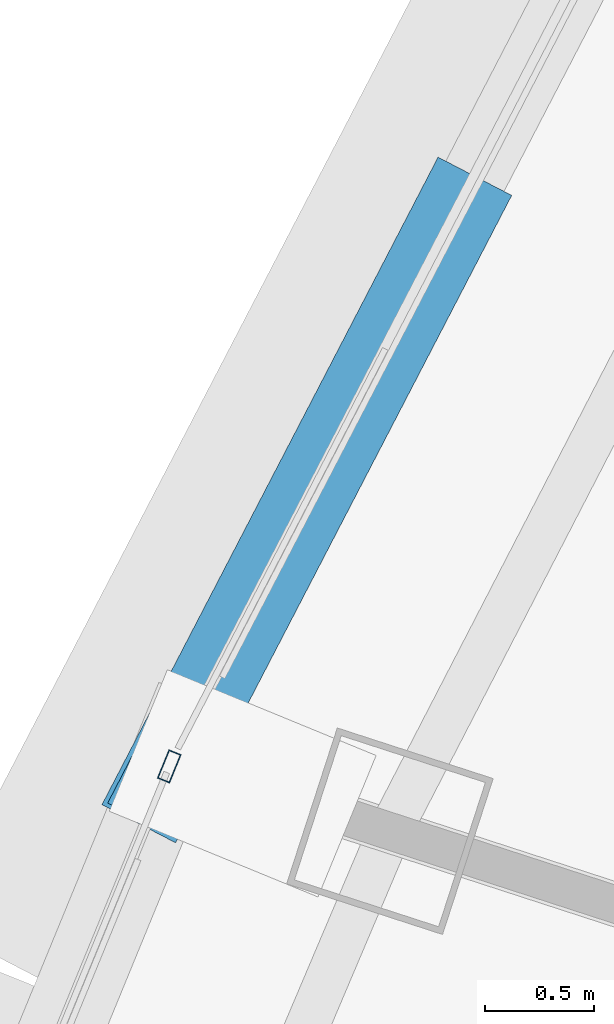
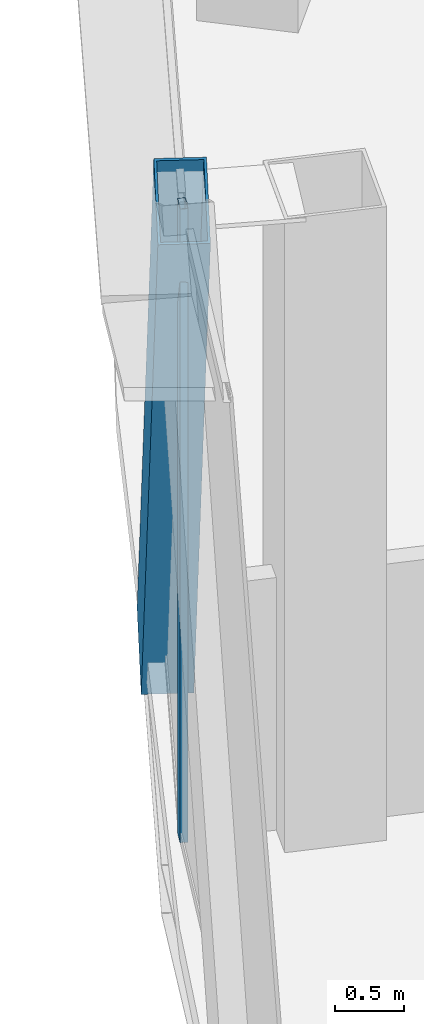
# One storey, part 8 of 33: 2 members, 1 element without a shape of its own.
"""IFC4 building model written with IfcOpenShell, lengths in metres."""

from ifc_helpers import new_model, si_unit, direction, frame, origin, origin_2d, place, context, subcontext, project, spatial, hollow_rectangle, extrude, source, transform, mapped, material, layer, layer_set, material_profile, profile_set, type_object, element, aggregate, save


model = new_model("IFC4")

# Units and contexts
model_context = context("Model", 3, precision=1e-05, world=origin(), true_north=direction((0.0, 1.0)))
body_context = subcontext(model_context, "Body", "Model", "MODEL_VIEW")
ifc_project = project(units=[si_unit("LENGTHUNIT", "METRE"), si_unit("AREAUNIT", "SQUARE_METRE"), si_unit("VOLUMEUNIT", "CUBIC_METRE"), si_unit("PLANEANGLEUNIT", "RADIAN"), si_unit("MASSUNIT", "GRAM", prefix="KILO"), si_unit("THERMODYNAMICTEMPERATUREUNIT", "KELVIN"), si_unit("POWERUNIT", "WATT")], contexts=[model_context])

# Site, building, storey
site_placement = place(None, origin())
site = spatial("IfcSite", under=ifc_project, at=site_placement, CompositionType="ELEMENT")
building_placement = place(site_placement, origin())
building = spatial("IfcBuilding", under=site, at=building_placement, Name="Yunzhuo Pagoda Commons", CompositionType="ELEMENT")
storey_placement = place(building_placement, frame((0.0, 0.0, 314.860107421875)))
storey = spatial("IfcBuildingStorey", under=building, at=storey_placement, Name="L79", CompositionType="ELEMENT", Elevation=314.860107421875)

# Member
ifc_material_1 = material(Name="Structural steel Q355B", Category="steel")
ifc_material_profile_1 = material_profile(ifc_material_1, hollow_rectangle(XDim=0.3798828125, YDim=0.719970703125, WallThickness=0.02001953125, at=origin_2d()), Name="Structural steel Q355B")
ifc_profile_set_1 = profile_set([ifc_material_profile_1], Name="Structural steel Q355B")
member_type_1 = type_object("IfcMemberType", Name="M-DL3 Brace BOX 720x380x20", PredefinedType="BRACE", material=ifc_profile_set_1)
shared_shape_1 = source(origin(), body_context, "Body", "SweptSolid", [
    extrude(hollow_rectangle(XDim=0.3798828125, YDim=0.719970703125, WallThickness=0.02001953125, at=origin_2d()), origin(), (0.0, 0.0, 1.0), 6.418212890625),
])
member_1_placement = place(storey_placement, frame((24.935791015625, 43.978515625, -0.260009765625), z_axis=(-0.192704513442, -0.371220557972, 0.908328281976), x_axis=(0.887539704537, -0.460731237133, 0.0)))
element("IfcMember", 1, at=member_1_placement, inside=storey, type_object=member_type_1, Name="L79 facade diamond brace F3.2R", PredefinedType="BRACE", context=body_context, shape_type="MappedRepresentation", body=[
    mapped(shared_shape_1, transform((0.0, 0.0, 0.0), scale=1.0)),
])

# Curtain wall, member
ifc_material_2 = material(Name="Anodized aluminium 6063-T6", Category="aluminium")
ifc_layer = layer(ifc_material_2, 0.139892578125)
ifc_layer_set = layer_set([ifc_layer], Name="Anodized aluminium 6063-T6")
curtain_wall_type = type_object("IfcCurtainWallType", Name="CW-HI High-Zone Ribbon Curtain Wall", PredefinedType="NOTDEFINED", material=ifc_layer_set)
curtain_wall_placement = place(storey_placement, origin())
curtain_wall = element("IfcCurtainWall", 2, at=curtain_wall_placement, inside=storey, type_object=curtain_wall_type, Name="L79 curtain wall CW-L79-F3B4", PredefinedType="NOTDEFINED")
ifc_material_profile_2 = material_profile(ifc_material_2, hollow_rectangle(XDim=0.06005859375, YDim=0.139892578125, WallThickness=0.00341796875, at=origin_2d()), Name="Anodized aluminium 6063-T6")
ifc_profile_set_2 = profile_set([ifc_material_profile_2], Name="Anodized aluminium 6063-T6")
member_type_2 = type_object("IfcMemberType", Name="CW-HI-M Mullion RHS 140x60x3.5", PredefinedType="MULLION", material=ifc_profile_set_2)
shared_shape_2 = source(origin(), body_context, "Body", "SweptSolid", [
    extrude(hollow_rectangle(XDim=0.06005859375, YDim=0.139892578125, WallThickness=0.00341796875, at=origin_2d()), origin(), (0.0, 0.0, 1.0), 5.56982421875),
])
member_2_placement = place(storey_placement, frame((23.6875, 41.568115234375, 0.0), z_axis=(0.0, 0.0, 1.0), x_axis=(0.924975207531, -0.380027453552, 0.0)))
member_2 = element("IfcMember", 3, at=member_2_placement, type_object=member_type_2, Name="CW mullion 1", PredefinedType="MULLION", context=body_context, shape_type="MappedRepresentation", body=[
    mapped(shared_shape_2, transform((0.0, 0.0, 0.0), scale=1.0)),
])
aggregate(curtain_wall, [member_2])

save(model, "model.ifc")
